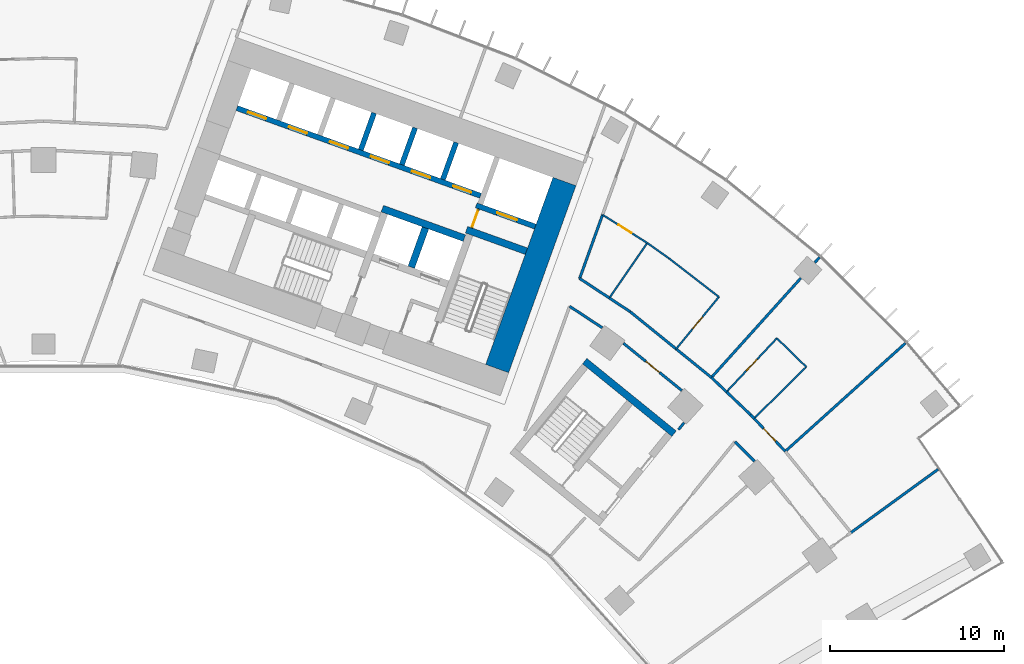
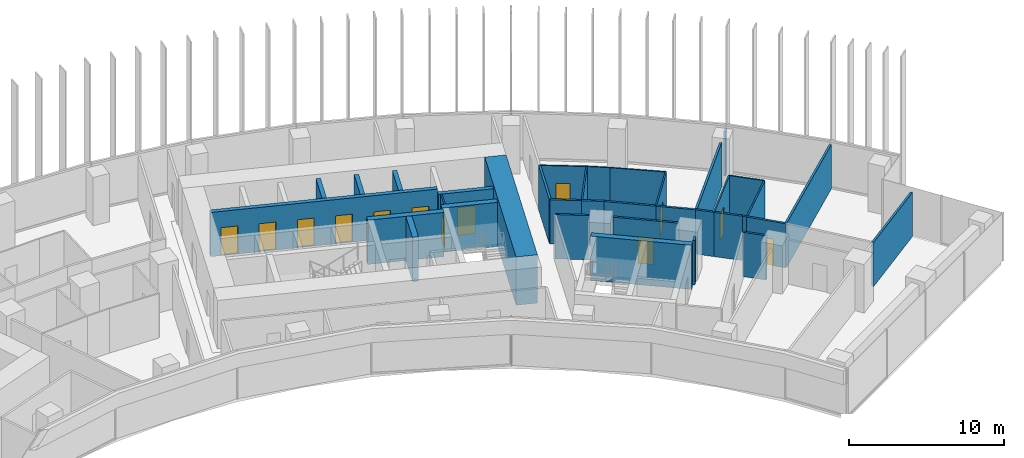
# One storey, part 19 of 22: 36 walls, 13 doors, 13 openings.
"""IFC4 building model written with IfcOpenShell, lengths in metres."""

from ifc_helpers import new_model, si_unit, direction, frame, frame_2d, origin, place, context, subcontext, project, spatial, rectangle, extrude, material, layer, layer_set, type_object, element, fill, save


model = new_model("IFC4")

# Units and contexts
model_context = context("Model", 3, precision=1e-05, world=origin(), true_north=direction((0.0, 1.0)))
body_context = subcontext(model_context, "Body", "Model", "MODEL_VIEW")
ifc_project = project(units=[si_unit("LENGTHUNIT", "METRE"), si_unit("AREAUNIT", "SQUARE_METRE"), si_unit("VOLUMEUNIT", "CUBIC_METRE"), si_unit("PLANEANGLEUNIT", "RADIAN"), si_unit("MASSUNIT", "GRAM", prefix="KILO")], contexts=[model_context])

# Site, building, storey
site_placement = place(None, origin())
site = spatial("IfcSite", under=ifc_project, at=site_placement, CompositionType="ELEMENT")
building_placement = place(site_placement, origin())
building = spatial("IfcBuilding", under=site, at=building_placement, Name="Stone Belt Terrace Tower", CompositionType="ELEMENT")
storey_placement = place(building_placement, frame((0.0, 0.0, 121.199951171875)))
storey = spatial("IfcBuildingStorey", under=building, at=storey_placement, Name="L29", CompositionType="ELEMENT", Elevation=121.199951171875)

# Wall, opening, door
ifc_material_1 = material(Name="Plasterboard partition")
ifc_layer_1 = layer(ifc_material_1, 0.10009765625)
ifc_layer_set_1 = layer_set([ifc_layer_1], Name="Core partition 100")
wall_type_1 = type_object("IfcWallType", Name="Core partition 100", PredefinedType="PARTITIONING", material=ifc_layer_set_1)
wall_1_placement = place(storey_placement, frame((24.555908203125, 51.10400390625, 0.0), z_axis=(0.0, 0.0, 1.0), x_axis=(0.338621735342, 0.94092258999, 0.0)))
wall_1 = element("IfcWall", 1, at=wall_1_placement, inside=storey, type_object=wall_type_1, Name="Core B wall", PredefinedType="PARTITIONING", context=body_context, shape_type="SweptSolid", body=[
    extrude(rectangle(XDim=1.14990234375, YDim=0.10009765625, at=frame_2d((0.574951171875, 0.0))), origin(), (0.0, 0.0, 1.0), 3.47998046875),
])
opening_1_placement = place(wall_1_placement, frame((0.050048828125, 0.0, 0.0)))
opening_1 = element("IfcOpeningElement", 2, at=opening_1_placement, cuts=wall_1, Name="Opening L29-C09", PredefinedType="OPENING", context=body_context, shape_type="SweptSolid", body=[
    extrude(rectangle(XDim=1.0, YDim=2.10009765625, at=frame_2d((0.5, 1.050048828125))), frame((0.0, 0.06005859375, 0.0), z_axis=(0.0, -1.0, 0.0), x_axis=(1.0, 0.0, 0.0)), (0.0, 0.0, 1.0), 0.1201171875),
])
ifc_material_2 = material(Name="Timber door leaf", Category="wood")
door_type_1 = type_object("IfcDoorType", Name="Core room door 1000", OperationType="SINGLE_SWING_LEFT", PredefinedType="DOOR", material=ifc_material_2)
door_1_placement = place(opening_1_placement, origin())
door_1 = element("IfcDoor", 3, at=door_1_placement, inside=storey, type_object=door_type_1, Name="Service lift lobby door core B", OperationType="SINGLE_SWING_LEFT", OverallHeight=2.10009765625, OverallWidth=1.0, PredefinedType="DOOR", context=body_context, shape_type="SweptSolid", body=[
    extrude(rectangle(XDim=1.0, YDim=2.10009765625, at=frame_2d((0.5, 1.050048828125))), frame((0.0, 0.02490234375, 0.0), z_axis=(0.0, -1.0, 0.0), x_axis=(1.0, 0.0, 0.0)), (0.0, 0.0, 1.0), 0.050048828125),
])
fill(opening_1, door_1)

# Walls
ifc_material_3 = material(Name="Concrete B80", Category="concrete")
ifc_layer_2 = layer(ifc_material_3, 1.39990234375)
ifc_layer_set_2 = layer_set([ifc_layer_2], Name="Core wall 1400 B80")
wall_type_2 = type_object("IfcWallType", Name="Core wall 1400 B80", PredefinedType="SHEAR", material=ifc_layer_set_2)
wall_2_placement = place(storey_placement, frame((26.00927734375, 43.03515625, 0.0), z_axis=(0.0, 0.0, 1.0), x_axis=(0.338625431531, 0.940921259788, 0.0)))
element("IfcWall", 4, at=wall_2_placement, inside=storey, type_object=wall_type_2, Name="Core B wall end_b L29", PredefinedType="SHEAR", context=body_context, shape_type="SweptSolid", body=[
    extrude(rectangle(XDim=11.400146484375, YDim=1.39990234375, at=frame_2d((5.7001953125, 0.0))), origin(), (0.0, 0.0, 1.0), 3.800048828125),
])
ifc_layer_3 = layer(ifc_material_3, 0.39990234375)
ifc_layer_set_3 = layer_set([ifc_layer_3], Name="Fire-fighting lift shaft wall 400")
wall_type_3 = type_object("IfcWallType", Name="Fire-fighting lift shaft wall 400", PredefinedType="SHEAR", material=ifc_layer_set_3)
wall_3_placement = place(storey_placement, frame((24.130615234375, 50.512939453125, 0.0), z_axis=(0.0, 0.0, 1.0), x_axis=(-0.94091168377, 0.338652038744, 0.0)))
element("IfcWall", 5, at=wall_3_placement, inside=storey, type_object=wall_type_3, Name="Core B wall", PredefinedType="SHEAR", context=body_context, shape_type="SweptSolid", body=[
    extrude(rectangle(XDim=5.000244140625, YDim=0.39990234375, at=frame_2d((2.5, 0.0))), origin(), (0.0, 0.0, 1.0), 3.47998046875),
])
wall_4_placement = place(storey_placement, frame((21.0859375, 48.845458984375, 0.0), z_axis=(0.0, 0.0, 1.0), x_axis=(0.338629416206, 0.940919825745, 0.0)))
element("IfcWall", 6, at=wall_4_placement, inside=storey, type_object=wall_type_3, Name="Core B wall", PredefinedType="SHEAR", context=body_context, shape_type="SweptSolid", body=[
    extrude(rectangle(XDim=2.400146484375, YDim=0.39990234375, at=frame_2d((1.2001953125, 0.0))), origin(), (0.0, 0.0, 1.0), 3.47998046875),
])

# Wall, opening, door
ifc_layer_4 = layer(ifc_material_3, 0.300048828125)
ifc_layer_set_4 = layer_set([ifc_layer_4], Name="Lift shaft wall 300")
wall_type_4 = type_object("IfcWallType", Name="Lift shaft wall 300", PredefinedType="SHEAR", material=ifc_layer_set_4)
wall_5_placement = place(storey_placement, frame((28.195068359375, 51.17578125, 0.0), z_axis=(0.0, 0.0, 1.0), x_axis=(-0.940901243567, 0.338681044427, 0.0)))
wall_5 = element("IfcWall", 7, at=wall_5_placement, inside=storey, type_object=wall_type_4, Name="Core B wall", PredefinedType="SHEAR", context=body_context, shape_type="SweptSolid", body=[
    extrude(rectangle(XDim=3.599853515625, YDim=0.300048828125, at=frame_2d((1.7998046875, 0.0))), origin(), (0.0, 0.0, 1.0), 3.47998046875),
])
opening_2_placement = place(wall_5_placement, frame((1.1201171875, 0.0, 0.0)))
opening_2 = element("IfcOpeningElement", 8, at=opening_2_placement, cuts=wall_5, Name="Opening L29-LD18", PredefinedType="OPENING", context=body_context, shape_type="SweptSolid", body=[
    extrude(rectangle(XDim=1.199951171875, YDim=2.199951171875, at=frame_2d((0.60009765625, 1.10009765625))), frame((0.0, 0.159912109375, 0.0), z_axis=(0.0, -1.0, 0.0), x_axis=(1.0, 0.0, 0.0)), (0.0, 0.0, 1.0), 0.320068359375),
])
ifc_material_4 = material(Name="Stainless steel door leaf", Category="steel")
door_type_2 = type_object("IfcDoorType", Name="Landing door 1200", OperationType="SLIDING_TO_LEFT", PredefinedType="DOOR", material=ifc_material_4)
door_2_placement = place(opening_2_placement, origin())
door_2 = element("IfcDoor", 9, at=door_2_placement, inside=storey, type_object=door_type_2, Name="Landing door SV1 core B", OperationType="SLIDING_TO_LEFT", OverallHeight=2.199951171875, OverallWidth=1.199951171875, PredefinedType="DOOR", context=body_context, shape_type="SweptSolid", body=[
    extrude(rectangle(XDim=1.199951171875, YDim=2.199951171875, at=frame_2d((0.60009765625, 1.10009765625))), frame((0.0, 0.02490234375, 0.0), z_axis=(0.0, -1.0, 0.0), x_axis=(1.0, 0.0, 0.0)), (0.0, 0.0, 1.0), 0.050048828125),
])
fill(opening_2, door_2)

# Wall, openings, doors
wall_6_placement = place(storey_placement, frame((25.05810546875, 52.9423828125, 0.0), z_axis=(0.0, 0.0, 1.0), x_axis=(-0.940918215764, 0.338633889685, 0.0)))
wall_6 = element("IfcWall", 10, at=wall_6_placement, inside=storey, type_object=wall_type_4, Name="Core B wall", PredefinedType="SHEAR", context=body_context, shape_type="SweptSolid", body=[
    extrude(rectangle(XDim=14.850341796875, YDim=0.300048828125, at=frame_2d((7.42529296875, 0.0))), origin(), (0.0, 0.0, 1.0), 3.47998046875),
])
opening_3_placement = place(wall_6_placement, frame((0.570068359375, 0.0, 0.0)))
opening_3 = element("IfcOpeningElement", 11, at=opening_3_placement, cuts=wall_6, Name="Opening L29-LD10", PredefinedType="OPENING", context=body_context, shape_type="SweptSolid", body=[
    extrude(rectangle(XDim=1.10009765625, YDim=2.199951171875, at=frame_2d((0.550048828125, 1.10009765625))), frame((0.0, 0.159912109375, 0.0), z_axis=(0.0, -1.0, 0.0), x_axis=(1.0, 0.0, 0.0)), (0.0, 0.0, 1.0), 0.320068359375),
])
opening_4_placement = place(wall_6_placement, frame((3.070068359375, 0.0, 0.0)))
opening_4 = element("IfcOpeningElement", 12, at=opening_4_placement, cuts=wall_6, Name="Opening L29-LD11", PredefinedType="OPENING", context=body_context, shape_type="SweptSolid", body=[
    extrude(rectangle(XDim=1.10009765625, YDim=2.199951171875, at=frame_2d((0.550048828125, 1.10009765625))), frame((0.0, 0.159912109375, 0.0), z_axis=(0.0, -1.0, 0.0), x_axis=(1.0, 0.0, 0.0)), (0.0, 0.0, 1.0), 0.320068359375),
])
opening_5_placement = place(wall_6_placement, frame((5.570068359375, 0.0, 0.0)))
opening_5 = element("IfcOpeningElement", 13, at=opening_5_placement, cuts=wall_6, Name="Opening L29-LD12", PredefinedType="OPENING", context=body_context, shape_type="SweptSolid", body=[
    extrude(rectangle(XDim=1.10009765625, YDim=2.199951171875, at=frame_2d((0.550048828125, 1.10009765625))), frame((0.0, 0.159912109375, 0.0), z_axis=(0.0, -1.0, 0.0), x_axis=(1.0, 0.0, 0.0)), (0.0, 0.0, 1.0), 0.320068359375),
])
opening_6_placement = place(wall_6_placement, frame((8.070068359375, 0.0, 0.0)))
opening_6 = element("IfcOpeningElement", 14, at=opening_6_placement, cuts=wall_6, Name="Opening L29-LD13", PredefinedType="OPENING", context=body_context, shape_type="SweptSolid", body=[
    extrude(rectangle(XDim=1.10009765625, YDim=2.199951171875, at=frame_2d((0.550048828125, 1.10009765625))), frame((0.0, 0.159912109375, 0.0), z_axis=(0.0, -1.0, 0.0), x_axis=(1.0, 0.0, 0.0)), (0.0, 0.0, 1.0), 0.320068359375),
])
opening_7_placement = place(wall_6_placement, frame((10.570068359375, 0.0, 0.0)))
opening_7 = element("IfcOpeningElement", 15, at=opening_7_placement, cuts=wall_6, Name="Opening L29-LD14", PredefinedType="OPENING", context=body_context, shape_type="SweptSolid", body=[
    extrude(rectangle(XDim=1.10009765625, YDim=2.199951171875, at=frame_2d((0.550048828125, 1.10009765625))), frame((0.0, 0.159912109375, 0.0), z_axis=(0.0, -1.0, 0.0), x_axis=(1.0, 0.0, 0.0)), (0.0, 0.0, 1.0), 0.320068359375),
])
opening_8_placement = place(wall_6_placement, frame((13.070068359375, 0.0, 0.0)))
opening_8 = element("IfcOpeningElement", 16, at=opening_8_placement, cuts=wall_6, Name="Opening L29-LD15", PredefinedType="OPENING", context=body_context, shape_type="SweptSolid", body=[
    extrude(rectangle(XDim=1.10009765625, YDim=2.199951171875, at=frame_2d((0.550048828125, 1.10009765625))), frame((0.0, 0.159912109375, 0.0), z_axis=(0.0, -1.0, 0.0), x_axis=(1.0, 0.0, 0.0)), (0.0, 0.0, 1.0), 0.320068359375),
])
door_type_3 = type_object("IfcDoorType", Name="Landing door 1100", OperationType="SLIDING_TO_LEFT", PredefinedType="DOOR", material=ifc_material_4)
door_3_placement = place(opening_3_placement, origin())
door_3 = element("IfcDoor", 17, at=door_3_placement, inside=storey, type_object=door_type_3, Name="Landing door LR1 core B", OperationType="SLIDING_TO_LEFT", OverallHeight=2.199951171875, OverallWidth=1.10009765625, PredefinedType="DOOR", context=body_context, shape_type="SweptSolid", body=[
    extrude(rectangle(XDim=1.10009765625, YDim=2.199951171875, at=frame_2d((0.550048828125, 1.10009765625))), frame((0.0, 0.02490234375, 0.0), z_axis=(0.0, -1.0, 0.0), x_axis=(1.0, 0.0, 0.0)), (0.0, 0.0, 1.0), 0.050048828125),
])
fill(opening_3, door_3)
door_4_placement = place(opening_4_placement, origin())
door_4 = element("IfcDoor", 18, at=door_4_placement, inside=storey, type_object=door_type_3, Name="Landing door LR2 core B", OperationType="SLIDING_TO_LEFT", OverallHeight=2.199951171875, OverallWidth=1.10009765625, PredefinedType="DOOR", context=body_context, shape_type="SweptSolid", body=[
    extrude(rectangle(XDim=1.10009765625, YDim=2.199951171875, at=frame_2d((0.550048828125, 1.10009765625))), frame((0.0, 0.02490234375, 0.0), z_axis=(0.0, -1.0, 0.0), x_axis=(1.0, 0.0, 0.0)), (0.0, 0.0, 1.0), 0.050048828125),
])
fill(opening_4, door_4)
door_5_placement = place(opening_5_placement, origin())
door_5 = element("IfcDoor", 19, at=door_5_placement, inside=storey, type_object=door_type_3, Name="Landing door LR3 core B", OperationType="SLIDING_TO_LEFT", OverallHeight=2.199951171875, OverallWidth=1.10009765625, PredefinedType="DOOR", context=body_context, shape_type="SweptSolid", body=[
    extrude(rectangle(XDim=1.10009765625, YDim=2.199951171875, at=frame_2d((0.550048828125, 1.10009765625))), frame((0.0, 0.02490234375, 0.0), z_axis=(0.0, -1.0, 0.0), x_axis=(1.0, 0.0, 0.0)), (0.0, 0.0, 1.0), 0.050048828125),
])
fill(opening_5, door_5)
door_6_placement = place(opening_6_placement, origin())
door_6 = element("IfcDoor", 20, at=door_6_placement, inside=storey, type_object=door_type_3, Name="Landing door LR4 core B", OperationType="SLIDING_TO_LEFT", OverallHeight=2.199951171875, OverallWidth=1.10009765625, PredefinedType="DOOR", context=body_context, shape_type="SweptSolid", body=[
    extrude(rectangle(XDim=1.10009765625, YDim=2.199951171875, at=frame_2d((0.550048828125, 1.10009765625))), frame((0.0, 0.02490234375, 0.0), z_axis=(0.0, -1.0, 0.0), x_axis=(1.0, 0.0, 0.0)), (0.0, 0.0, 1.0), 0.050048828125),
])
fill(opening_6, door_6)
door_7_placement = place(opening_7_placement, origin())
door_7 = element("IfcDoor", 21, at=door_7_placement, inside=storey, type_object=door_type_3, Name="Landing door LR5 core B", OperationType="SLIDING_TO_LEFT", OverallHeight=2.199951171875, OverallWidth=1.10009765625, PredefinedType="DOOR", context=body_context, shape_type="SweptSolid", body=[
    extrude(rectangle(XDim=1.10009765625, YDim=2.199951171875, at=frame_2d((0.550048828125, 1.10009765625))), frame((0.0, 0.02490234375, 0.0), z_axis=(0.0, -1.0, 0.0), x_axis=(1.0, 0.0, 0.0)), (0.0, 0.0, 1.0), 0.050048828125),
])
fill(opening_7, door_7)
door_8_placement = place(opening_8_placement, origin())
door_8 = element("IfcDoor", 22, at=door_8_placement, inside=storey, type_object=door_type_3, Name="Landing door LR6 core B", OperationType="SLIDING_TO_LEFT", OverallHeight=2.199951171875, OverallWidth=1.10009765625, PredefinedType="DOOR", context=body_context, shape_type="SweptSolid", body=[
    extrude(rectangle(XDim=1.10009765625, YDim=2.199951171875, at=frame_2d((0.550048828125, 1.10009765625))), frame((0.0, 0.02490234375, 0.0), z_axis=(0.0, -1.0, 0.0), x_axis=(1.0, 0.0, 0.0)), (0.0, 0.0, 1.0), 0.050048828125),
])
fill(opening_8, door_8)

# Walls
wall_7_placement = place(storey_placement, frame((22.897705078125, 53.87939453125, 0.0), z_axis=(0.0, 0.0, 1.0), x_axis=(0.338535034312, 0.940953787677, 0.0)))
element("IfcWall", 23, at=wall_7_placement, inside=storey, type_object=wall_type_4, Name="Core B wall", PredefinedType="SHEAR", context=body_context, shape_type="SweptSolid", body=[
    extrude(rectangle(XDim=2.25, YDim=0.300048828125, at=frame_2d((1.125, 0.0))), origin(), (0.0, 0.0, 1.0), 3.47998046875),
])
wall_8_placement = place(storey_placement, frame((20.54541015625, 54.72607421875, 0.0), z_axis=(0.0, 0.0, 1.0), x_axis=(0.338569601369, 0.940941350472, 0.0)))
element("IfcWall", 24, at=wall_8_placement, inside=storey, type_object=wall_type_4, Name="Core B wall", PredefinedType="SHEAR", context=body_context, shape_type="SweptSolid", body=[
    extrude(rectangle(XDim=2.249755859375, YDim=0.300048828125, at=frame_2d((1.125, 0.0))), origin(), (0.0, 0.0, 1.0), 3.47998046875),
])
wall_9_placement = place(storey_placement, frame((18.193115234375, 55.572509765625, 0.0), z_axis=(0.0, 0.0, 1.0), x_axis=(0.338535034312, 0.940953787677, 0.0)))
element("IfcWall", 25, at=wall_9_placement, inside=storey, type_object=wall_type_4, Name="Core B wall", PredefinedType="SHEAR", context=body_context, shape_type="SweptSolid", body=[
    extrude(rectangle(XDim=2.25, YDim=0.300048828125, at=frame_2d((1.125, 0.0))), origin(), (0.0, 0.0, 1.0), 3.47998046875),
])

# Wall, opening, door
ifc_material_5 = material(Name="Gypsum board partition")
ifc_layer_5 = layer(ifc_material_5, 0.10009765625)
ifc_layer_set_5 = layer_set([ifc_layer_5], Name="PARTITION 100")
wall_type_5 = type_object("IfcWallType", Name="PARTITION 100", PredefinedType="PARTITIONING", material=ifc_layer_set_5)
wall_10_placement = place(storey_placement, frame((34.614013671875, 50.237060546875, 0.0), z_axis=(0.0, 0.0, 1.0), x_axis=(-0.845571256143, 0.533862576686, 0.0)))
wall_10 = element("IfcWall", 26, at=wall_10_placement, inside=storey, type_object=wall_type_5, Name="L29/wall/i074", PredefinedType="PARTITIONING", context=body_context, shape_type="SweptSolid", body=[
    extrude(rectangle(XDim=3.02880859375, YDim=0.10009765625, at=frame_2d((1.514404296875, 0.0))), origin(), (0.0, 0.0, 1.0), 3.47998046875),
])
opening_9_placement = place(wall_10_placement, frame((1.064453125, 0.0, 0.0)))
opening_9 = element("IfcOpeningElement", 27, at=opening_9_placement, cuts=wall_10, Name="Opening D-B4-23", PredefinedType="OPENING", context=body_context, shape_type="SweptSolid", body=[
    extrude(rectangle(XDim=0.89990234375, YDim=2.10009765625, at=frame_2d((0.449951171875, 1.050048828125))), frame((0.0, 0.06005859375, 0.0), z_axis=(0.0, -1.0, 0.0), x_axis=(1.0, 0.0, 0.0)), (0.0, 0.0, 1.0), 0.1201171875),
])
door_type_4 = type_object("IfcDoorType", Name="OFFICE DOOR 900 X 2100", OperationType="NOTDEFINED", PredefinedType="DOOR", material=ifc_material_2)
door_9_placement = place(opening_9_placement, origin())
door_9 = element("IfcDoor", 28, at=door_9_placement, inside=storey, type_object=door_type_4, Name="L29/door/i23", OperationType="SINGLE_SWING_RIGHT", OverallHeight=2.10009765625, OverallWidth=0.89990234375, PredefinedType="DOOR", context=body_context, shape_type="SweptSolid", body=[
    extrude(rectangle(XDim=0.89990234375, YDim=2.10009765625, at=frame_2d((0.449951171875, 1.050048828125))), frame((0.0, 0.02490234375, 0.0), z_axis=(0.0, -1.0, 0.0), x_axis=(1.0, 0.0, 0.0)), (0.0, 0.0, 1.0), 0.050048828125),
])
fill(opening_9, door_9)

wall_11_placement = place(storey_placement, frame((36.27099609375, 44.162109375, 0.0), z_axis=(0.0, 0.0, 1.0), x_axis=(0.634542449737, 0.772888012251, 0.0)))
wall_11 = element("IfcWall", 29, at=wall_11_placement, inside=storey, type_object=wall_type_5, Name="L29/wall/i075", PredefinedType="PARTITIONING", context=body_context, shape_type="SweptSolid", body=[
    extrude(rectangle(XDim=3.859375, YDim=0.10009765625, at=frame_2d((1.9296875, 0.0))), origin(), (0.0, 0.0, 1.0), 3.47998046875),
])
opening_10_placement = place(wall_11_placement, frame((1.479736328125, 0.0, 0.0)))
opening_10 = element("IfcOpeningElement", 30, at=opening_10_placement, cuts=wall_11, Name="Opening D-B4-24", PredefinedType="OPENING", context=body_context, shape_type="SweptSolid", body=[
    extrude(rectangle(XDim=0.89990234375, YDim=2.10009765625, at=frame_2d((0.449951171875, 1.050048828125))), frame((0.0, 0.06005859375, 0.0), z_axis=(0.0, -1.0, 0.0), x_axis=(1.0, 0.0, 0.0)), (0.0, 0.0, 1.0), 0.1201171875),
])
door_10_placement = place(opening_10_placement, origin())
door_10 = element("IfcDoor", 31, at=door_10_placement, inside=storey, type_object=door_type_4, Name="L29/door/i24", OperationType="SINGLE_SWING_RIGHT", OverallHeight=2.10009765625, OverallWidth=0.89990234375, PredefinedType="DOOR", context=body_context, shape_type="SweptSolid", body=[
    extrude(rectangle(XDim=0.89990234375, YDim=2.10009765625, at=frame_2d((0.449951171875, 1.050048828125))), frame((0.0, 0.02490234375, 0.0), z_axis=(0.0, -1.0, 0.0), x_axis=(1.0, 0.0, 0.0)), (0.0, 0.0, 1.0), 0.050048828125),
])
fill(opening_10, door_10)

# Walls
wall_12_placement = place(storey_placement, frame((38.719970703125, 47.14501953125, 0.0), z_axis=(0.0, 0.0, 1.0), x_axis=(-0.79127163688, 0.611464795937, 0.0)))
element("IfcWall", 32, at=wall_12_placement, inside=storey, type_object=wall_type_5, Name="L29/wall/i076", PredefinedType="PARTITIONING", context=body_context, shape_type="SweptSolid", body=[
    extrude(rectangle(XDim=3.61572265625, YDim=0.10009765625, at=frame_2d((1.807861328125, 0.0))), origin(), (0.0, 0.0, 1.0), 3.47998046875),
])
wall_13_placement = place(storey_placement, frame((35.85888671875, 49.35595703125, 0.0), z_axis=(0.0, 0.0, 1.0), x_axis=(-0.816235210983, 0.577719724738, 0.0)))
element("IfcWall", 33, at=wall_13_placement, inside=storey, type_object=wall_type_5, Name="L29/wall/i077", PredefinedType="PARTITIONING", context=body_context, shape_type="SweptSolid", body=[
    extrude(rectangle(XDim=1.525146484375, YDim=0.10009765625, at=frame_2d((0.7626953125, 0.0))), origin(), (0.0, 0.0, 1.0), 3.47998046875),
])
wall_14_placement = place(storey_placement, frame((34.614013671875, 50.237060546875, 0.0), z_axis=(0.0, 0.0, 1.0), x_axis=(-0.567359028554, -0.8234705415, 0.0)))
element("IfcWall", 34, at=wall_14_placement, inside=storey, type_object=wall_type_5, Name="L29/wall/i080", PredefinedType="PARTITIONING", context=body_context, shape_type="SweptSolid", body=[
    extrude(rectangle(XDim=3.830078125, YDim=0.10009765625, at=frame_2d((1.9150390625, 0.0))), origin(), (0.0, 0.0, 1.0), 3.47998046875),
])
wall_15_placement = place(storey_placement, frame((40.739013671875, 40.177978515625, 0.0), z_axis=(0.0, 0.0, 1.0), x_axis=(0.711968437206, 0.702211467025, 0.0)))
element("IfcWall", 35, at=wall_15_placement, inside=storey, type_object=wall_type_5, Name="L29/wall/i081", PredefinedType="PARTITIONING", context=body_context, shape_type="SweptSolid", body=[
    extrude(rectangle(XDim=4.20361328125, YDim=0.10009765625, at=frame_2d((2.101806640625, 0.0))), origin(), (0.0, 0.0, 1.0), 3.47998046875),
])
wall_16_placement = place(storey_placement, frame((43.73193359375, 43.1298828125, 0.0), z_axis=(0.0, 0.0, 1.0), x_axis=(-0.715754165889, 0.698352327992, 0.0)))
element("IfcWall", 36, at=wall_16_placement, inside=storey, type_object=wall_type_5, Name="L29/wall/i082", PredefinedType="PARTITIONING", context=body_context, shape_type="SweptSolid", body=[
    extrude(rectangle(XDim=2.35693359375, YDim=0.10009765625, at=frame_2d((1.178466796875, 0.0))), origin(), (0.0, 0.0, 1.0), 3.47998046875),
])

# Wall, opening, door
wall_17_placement = place(storey_placement, frame((42.044921875, 44.77587890625, 0.0), z_axis=(0.0, 0.0, 1.0), x_axis=(-0.684585990475, -0.72893211045, 0.0)))
wall_17 = element("IfcWall", 37, at=wall_17_placement, inside=storey, type_object=wall_type_5, Name="L29/wall/i083", PredefinedType="PARTITIONING", context=body_context, shape_type="SweptSolid", body=[
    extrude(rectangle(XDim=4.217041015625, YDim=0.10009765625, at=frame_2d((2.1083984375, 0.0))), origin(), (0.0, 0.0, 1.0), 3.47998046875),
])
opening_11_placement = place(wall_17_placement, frame((1.658447265625, 0.0, 0.0)))
opening_11 = element("IfcOpeningElement", 38, at=opening_11_placement, cuts=wall_17, Name="Opening D-B4-26", PredefinedType="OPENING", context=body_context, shape_type="SweptSolid", body=[
    extrude(rectangle(XDim=0.89990234375, YDim=2.10009765625, at=frame_2d((0.449951171875, 1.050048828125))), frame((0.0, 0.06005859375, 0.0), z_axis=(0.0, -1.0, 0.0), x_axis=(1.0, 0.0, 0.0)), (0.0, 0.0, 1.0), 0.1201171875),
])
door_11_placement = place(opening_11_placement, origin())
door_11 = element("IfcDoor", 39, at=door_11_placement, inside=storey, type_object=door_type_4, Name="L29/door/i26", OperationType="SINGLE_SWING_RIGHT", OverallHeight=2.10009765625, OverallWidth=0.89990234375, PredefinedType="DOOR", context=body_context, shape_type="SweptSolid", body=[
    extrude(rectangle(XDim=0.89990234375, YDim=2.10009765625, at=frame_2d((0.449951171875, 1.050048828125))), frame((0.0, 0.02490234375, 0.0), z_axis=(0.0, -1.0, 0.0), x_axis=(1.0, 0.0, 0.0)), (0.0, 0.0, 1.0), 0.050048828125),
])
fill(opening_11, door_11)

# Walls
ifc_layer_6 = layer(ifc_material_5, 0.14990234375)
ifc_layer_set_6 = layer_set([ifc_layer_6], Name="PARTITION 150 EI 60")
wall_type_6 = type_object("IfcWallType", Name="PARTITION 150 EI 60", PredefinedType="PARTITIONING", material=ifc_layer_set_6)
wall_18_placement = place(storey_placement, frame((32.054931640625, 51.860107421875, 0.0), z_axis=(0.0, 0.0, 1.0), x_axis=(-0.33852847769, -0.940956146583, 0.0)))
element("IfcWall", 40, at=wall_18_placement, inside=storey, type_object=wall_type_6, Name="L29/wall/i030", PredefinedType="PARTITIONING", context=body_context, shape_type="SweptSolid", body=[
    extrude(rectangle(XDim=3.892822265625, YDim=0.14990234375, at=frame_2d((1.9462890625, 0.0))), origin(), (0.0, 0.0, 1.0), 3.47998046875),
])
wall_19_placement = place(storey_placement, frame((46.291015625, 33.632080078125, 0.0), z_axis=(0.0, 0.0, 1.0), x_axis=(0.809007988274, 0.587797647927, 0.0)))
element("IfcWall", 41, at=wall_19_placement, inside=storey, type_object=wall_type_6, Name="L29/wall/i056", PredefinedType="PARTITIONING", context=body_context, shape_type="SweptSolid", body=[
    extrude(rectangle(XDim=6.171630859375, YDim=0.14990234375, at=frame_2d((3.0859375, 0.0))), origin(), (0.0, 0.0, 1.0), 3.47998046875),
])

# Wall, opening, door
wall_20_placement = place(storey_placement, frame((36.599365234375, 41.77587890625, 0.0), z_axis=(0.0, 0.0, 1.0), x_axis=(-0.777153738144, 0.62931078752, 0.0)))
wall_20 = element("IfcWall", 42, at=wall_20_placement, inside=storey, type_object=wall_type_6, Name="L29/wall/i057", PredefinedType="PARTITIONING", context=body_context, shape_type="SweptSolid", body=[
    extrude(rectangle(XDim=4.30517578125, YDim=0.14990234375, at=frame_2d((2.152587890625, 0.0))), origin(), (0.0, 0.0, 1.0), 3.47998046875),
])
opening_12_placement = place(wall_20_placement, frame((1.652587890625, 0.0, 0.0)))
opening_12 = element("IfcOpeningElement", 43, at=opening_12_placement, cuts=wall_20, Name="Opening D-B4-19", PredefinedType="OPENING", context=body_context, shape_type="SweptSolid", body=[
    extrude(rectangle(XDim=1.0, YDim=2.10009765625, at=frame_2d((0.5, 1.050048828125))), frame((0.0, 0.0849609375, 0.0), z_axis=(0.0, -1.0, 0.0), x_axis=(1.0, 0.0, 0.0)), (0.0, 0.0, 1.0), 0.169921875),
])
ifc_material_6 = material(Name="Timber fire door leaf", Category="wood")
door_type_5 = type_object("IfcDoorType", Name="TENANCY ENTRANCE DOOR 1000 X 2100", OperationType="NOTDEFINED", PredefinedType="DOOR", material=ifc_material_6)
door_12_placement = place(opening_12_placement, origin())
door_12 = element("IfcDoor", 44, at=door_12_placement, inside=storey, type_object=door_type_5, Name="L29/door/i19", OperationType="SINGLE_SWING_RIGHT", OverallHeight=2.10009765625, OverallWidth=1.0, PredefinedType="DOOR", context=body_context, shape_type="SweptSolid", body=[
    extrude(rectangle(XDim=1.0, YDim=2.10009765625, at=frame_2d((0.5, 1.050048828125))), frame((0.0, 0.02490234375, 0.0), z_axis=(0.0, -1.0, 0.0), x_axis=(1.0, 0.0, 0.0)), (0.0, 0.0, 1.0), 0.050048828125),
])
fill(opening_12, door_12)

# Walls
wall_21_placement = place(storey_placement, frame((32.03466796875, 45.37646484375, 0.0), z_axis=(0.0, 0.0, 1.0), x_axis=(-0.835456606052, 0.549556420583, 0.0)))
element("IfcWall", 45, at=wall_21_placement, inside=storey, type_object=wall_type_6, Name="L29/wall/i058", PredefinedType="PARTITIONING", context=body_context, shape_type="SweptSolid", body=[
    extrude(rectangle(XDim=2.239013671875, YDim=0.14990234375, at=frame_2d((1.11962890625, 0.0))), origin(), (0.0, 0.0, 1.0), 3.47998046875),
])
wall_22_placement = place(storey_placement, frame((36.26611328125, 44.166015625, 0.0), z_axis=(0.0, 0.0, 1.0), x_axis=(0.777070293826, -0.629413821307, 0.0)))
element("IfcWall", 46, at=wall_22_placement, inside=storey, type_object=wall_type_6, Name="L29/wall/i059", PredefinedType="PARTITIONING", context=body_context, shape_type="SweptSolid", body=[
    extrude(rectangle(XDim=2.605712890625, YDim=0.14990234375, at=frame_2d((1.302734375, 0.0))), origin(), (0.0, 0.0, 1.0), 3.47998046875),
])
wall_23_placement = place(storey_placement, frame((30.739013671875, 48.202880859375, 0.0), z_axis=(0.0, 0.0, 1.0), x_axis=(0.835471942852, -0.549533104287, 0.0)))
element("IfcWall", 47, at=wall_23_placement, inside=storey, type_object=wall_type_6, Name="L29/wall/i060", PredefinedType="PARTITIONING", context=body_context, shape_type="SweptSolid", body=[
    extrude(rectangle(XDim=2.043212890625, YDim=0.14990234375, at=frame_2d((1.021484375, 0.0))), origin(), (0.0, 0.0, 1.0), 3.47998046875),
])
wall_24_placement = place(storey_placement, frame((32.43603515625, 47.0859375, 0.0), z_axis=(0.0, 0.0, 1.0), x_axis=(0.835226071564, -0.549906727891, 0.0)))
element("IfcWall", 48, at=wall_24_placement, inside=storey, type_object=wall_type_6, Name="L29/wall/i061", PredefinedType="PARTITIONING", context=body_context, shape_type="SweptSolid", body=[
    extrude(rectangle(XDim=1.436767578125, YDim=0.14990234375, at=frame_2d((0.71826171875, 0.0))), origin(), (0.0, 0.0, 1.0), 3.47998046875),
])
wall_25_placement = place(storey_placement, frame((33.635986328125, 46.2958984375, 0.0), z_axis=(0.0, 0.0, 1.0), x_axis=(0.777003753109, -0.629495963176, 0.0)))
element("IfcWall", 49, at=wall_25_placement, inside=storey, type_object=wall_type_6, Name="L29/wall/i062", PredefinedType="PARTITIONING", context=body_context, shape_type="SweptSolid", body=[
    extrude(rectangle(XDim=3.396240234375, YDim=0.14990234375, at=frame_2d((1.6982421875, 0.0))), origin(), (0.0, 0.0, 1.0), 3.47998046875),
])
wall_26_placement = place(storey_placement, frame((38.291015625, 42.52587890625, 0.0), z_axis=(0.0, 0.0, 1.0), x_axis=(0.724857396482, -0.688898943798, 0.0)))
element("IfcWall", 50, at=wall_26_placement, inside=storey, type_object=wall_type_6, Name="L29/wall/i063", PredefinedType="PARTITIONING", context=body_context, shape_type="SweptSolid", body=[
    extrude(rectangle(XDim=1.20166015625, YDim=0.14990234375, at=frame_2d((0.600830078125, 0.0))), origin(), (0.0, 0.0, 1.0), 3.47998046875),
])
wall_27_placement = place(storey_placement, frame((39.154052734375, 41.7060546875, 0.0), z_axis=(0.0, 0.0, 1.0), x_axis=(0.724717453014, -0.689046161949, 0.0)))
element("IfcWall", 51, at=wall_27_placement, inside=storey, type_object=wall_type_6, Name="L29/wall/i064", PredefinedType="PARTITIONING", context=body_context, shape_type="SweptSolid", body=[
    extrude(rectangle(XDim=1.902587890625, YDim=0.14990234375, at=frame_2d((0.951171875, 0.0))), origin(), (0.0, 0.0, 1.0), 3.47998046875),
])
wall_28_placement = place(storey_placement, frame((40.765625, 37.721435546875, 0.0), z_axis=(0.0, 0.0, 1.0), x_axis=(-0.707106781187, 0.707106781187, 0.0)))
element("IfcWall", 52, at=wall_28_placement, inside=storey, type_object=wall_type_6, Name="L29/wall/i065", PredefinedType="PARTITIONING", context=body_context, shape_type="SweptSolid", body=[
    extrude(rectangle(XDim=1.587646484375, YDim=0.14990234375, at=frame_2d((0.7939453125, 0.0))), origin(), (0.0, 0.0, 1.0), 3.47998046875),
])

# Wall, opening, door
wall_29_placement = place(storey_placement, frame((40.735107421875, 40.181884765625, 0.0), z_axis=(0.0, 0.0, 1.0), x_axis=(0.687627627424, -0.726063527526, 0.0)))
wall_29 = element("IfcWall", 53, at=wall_29_placement, inside=storey, type_object=wall_type_6, Name="L29/wall/i067", PredefinedType="PARTITIONING", context=body_context, shape_type="SweptSolid", body=[
    extrude(rectangle(XDim=2.604248046875, YDim=0.14990234375, at=frame_2d((1.30224609375, 0.0))), origin(), (0.0, 0.0, 1.0), 3.47998046875),
])
opening_13_placement = place(wall_29_placement, frame((0.80224609375, 0.0, 0.0)))
opening_13 = element("IfcOpeningElement", 54, at=opening_13_placement, cuts=wall_29, Name="Opening D-B4-25", PredefinedType="OPENING", context=body_context, shape_type="SweptSolid", body=[
    extrude(rectangle(XDim=1.0, YDim=2.10009765625, at=frame_2d((0.5, 1.050048828125))), frame((0.0, 0.0849609375, 0.0), z_axis=(0.0, -1.0, 0.0), x_axis=(1.0, 0.0, 0.0)), (0.0, 0.0, 1.0), 0.169921875),
])
door_13_placement = place(opening_13_placement, origin())
door_13 = element("IfcDoor", 55, at=door_13_placement, inside=storey, type_object=door_type_5, Name="L29/door/i25", OperationType="SINGLE_SWING_RIGHT", OverallHeight=2.10009765625, OverallWidth=1.0, PredefinedType="DOOR", context=body_context, shape_type="SweptSolid", body=[
    extrude(rectangle(XDim=1.0, YDim=2.10009765625, at=frame_2d((0.5, 1.050048828125))), frame((0.0, 0.02490234375, 0.0), z_axis=(0.0, -1.0, 0.0), x_axis=(1.0, 0.0, 0.0)), (0.0, 0.0, 1.0), 0.050048828125),
])
fill(opening_13, door_13)

# Walls
wall_30_placement = place(storey_placement, frame((40.532958984375, 40.39501953125, 0.0), z_axis=(0.0, 0.0, 1.0), x_axis=(0.68885471009, -0.724899433292, 0.0)))
element("IfcWall", 56, at=wall_30_placement, inside=storey, type_object=wall_type_6, Name="L29/wall/i068", PredefinedType="PARTITIONING", context=body_context, shape_type="SweptSolid", body=[
    extrude(rectangle(XDim=0.3046875, YDim=0.14990234375, at=frame_2d((0.15234375, 0.0))), origin(), (0.0, 0.0, 1.0), 3.47998046875),
])
wall_31_placement = place(storey_placement, frame((36.406005859375, 39.537109375, 0.0), z_axis=(0.0, 0.0, 1.0), x_axis=(0.630355285391, 0.776306778393, 0.0)))
element("IfcWall", 57, at=wall_31_placement, inside=storey, type_object=wall_type_6, Name="L29/wall/i070", PredefinedType="PARTITIONING", context=body_context, shape_type="SweptSolid", body=[
    extrude(rectangle(XDim=0.50341796875, YDim=0.14990234375, at=frame_2d((0.251708984375, 0.0))), origin(), (0.0, 0.0, 1.0), 3.47998046875),
])
wall_32_placement = place(storey_placement, frame((44.496826171875, 49.41943359375, 0.0), z_axis=(0.0, 0.0, 1.0), x_axis=(-0.668865119487, -0.74338378509, 0.0)))
element("IfcWall", 58, at=wall_32_placement, inside=storey, type_object=wall_type_6, Name="L29/wall/i078", PredefinedType="PARTITIONING", context=body_context, shape_type="SweptSolid", body=[
    extrude(rectangle(XDim=0.40625, YDim=0.14990234375, at=frame_2d((0.203125, 0.0))), origin(), (0.0, 0.0, 1.0), 3.47998046875),
])
wall_33_placement = place(storey_placement, frame((43.41552734375, 48.21826171875, 0.0), z_axis=(0.0, 0.0, 1.0), x_axis=(-0.669063345565, -0.743205381857, 0.0)))
element("IfcWall", 59, at=wall_33_placement, inside=storey, type_object=wall_type_6, Name="L29/wall/i079", PredefinedType="PARTITIONING", context=body_context, shape_type="SweptSolid", body=[
    extrude(rectangle(XDim=7.6591796875, YDim=0.14990234375, at=frame_2d((3.82958984375, 0.0))), origin(), (0.0, 0.0, 1.0), 3.47998046875),
])
wall_34_placement = place(storey_placement, frame((49.41943359375, 44.496826171875, 0.0), z_axis=(0.0, 0.0, 1.0), x_axis=(-0.743207759706, -0.669060704206, 0.0)))
element("IfcWall", 60, at=wall_34_placement, inside=storey, type_object=wall_type_6, Name="L29/wall/i084", PredefinedType="PARTITIONING", context=body_context, shape_type="SweptSolid", body=[
    extrude(rectangle(XDim=9.275390625, YDim=0.14990234375, at=frame_2d((4.6376953125, 0.0))), origin(), (0.0, 0.0, 1.0), 3.47998046875),
])
ifc_layer_7 = layer(ifc_material_3, 0.39990234375)
ifc_layer_set_7 = layer_set([ifc_layer_7], Name="Stair enclosure wall 400")
wall_type_7 = type_object("IfcWallType", Name="Stair enclosure wall 400", PredefinedType="SHEAR", material=ifc_layer_set_7)
wall_35_placement = place(storey_placement, frame((27.687255859375, 49.764404296875, 0.0), z_axis=(0.0, 0.0, 1.0), x_axis=(-0.940918954884, 0.338631835981, 0.0)))
element("IfcWall", 61, at=wall_35_placement, inside=storey, type_object=wall_type_7, Name="Core B wall", PredefinedType="SHEAR", context=body_context, shape_type="SweptSolid", body=[
    extrude(rectangle(XDim=3.650146484375, YDim=0.39990234375, at=frame_2d((1.8251953125, 0.0))), origin(), (0.0, 0.0, 1.0), 3.47998046875),
])
wall_36_placement = place(storey_placement, frame((31.02783203125, 43.46337890625, 0.0), z_axis=(0.0, 0.0, 1.0), x_axis=(0.776413760801, -0.630223509589, 0.0)))
element("IfcWall", 62, at=wall_36_placement, inside=storey, type_object=wall_type_7, Name="Exit stair ST3B wall", PredefinedType="SHEAR", context=body_context, shape_type="SweptSolid", body=[
    extrude(rectangle(XDim=6.599853515625, YDim=0.39990234375, at=frame_2d((3.2998046875, 0.0))), origin(), (0.0, 0.0, 1.0), 3.47998046875),
])

save(model, "model.ifc")
